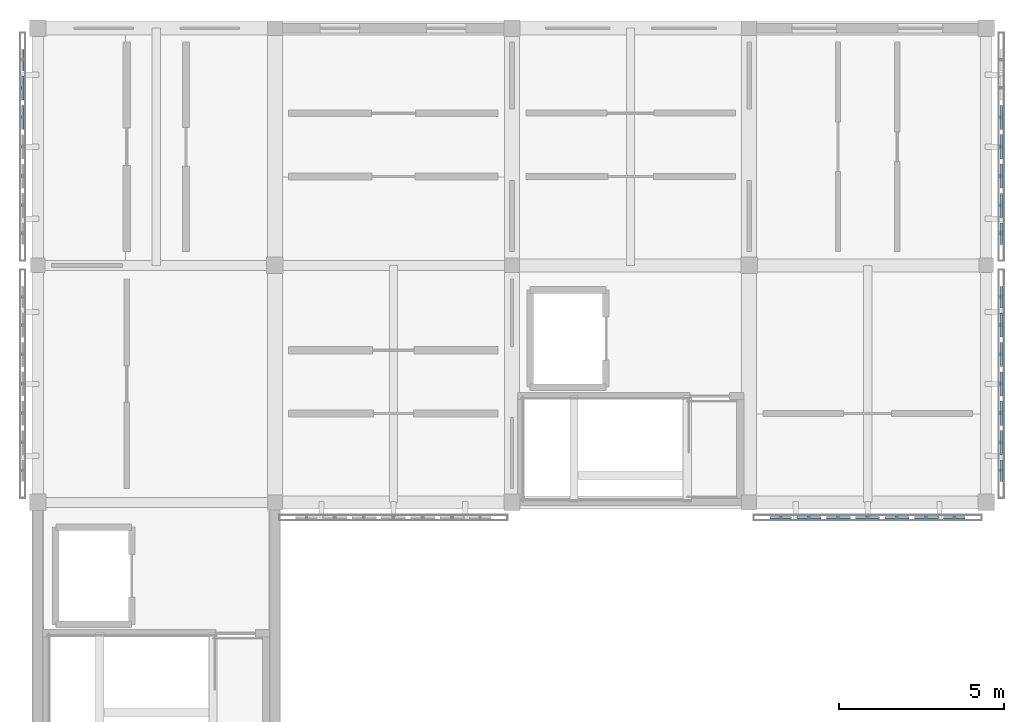
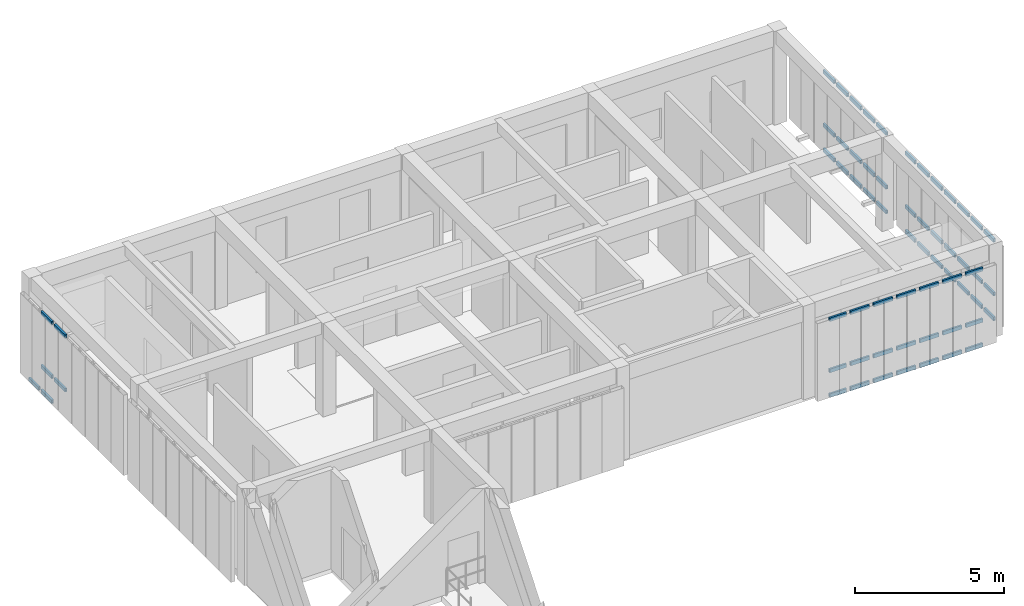
# One storey, part 6 of 14: 63 members, 4 elements without a shape of their own.
"""IFC4 building model written with IfcOpenShell, lengths in metres."""

from ifc_helpers import new_model, si_unit, direction, frame, origin, origin_2d, place, context, subcontext, project, spatial, hollow_rectangle, extrude, material, material_profile, profile_set, type_object, element, aggregate, save


model = new_model("IFC4")

# Units and contexts
model_context = context("Model", 3, precision=1e-05, world=origin(), true_north=direction((0.0, 1.0)))
body_context = subcontext(model_context, "Body", "Model", "MODEL_VIEW")
ifc_project = project(units=[si_unit("LENGTHUNIT", "METRE"), si_unit("AREAUNIT", "SQUARE_METRE"), si_unit("VOLUMEUNIT", "CUBIC_METRE"), si_unit("PLANEANGLEUNIT", "RADIAN"), si_unit("MASSUNIT", "GRAM", prefix="KILO")], contexts=[model_context])

# Site, building, storey
site_placement = place(None, origin())
site = spatial("IfcSite", under=ifc_project, at=site_placement, CompositionType="ELEMENT")
building_placement = place(site_placement, origin())
building = spatial("IfcBuilding", under=site, at=building_placement, Name="Aldebral Square Health Centre", CompositionType="ELEMENT")
storey_placement = place(building_placement, frame((0.0, 0.0, 21.60009765625)))
storey = spatial("IfcBuildingStorey", under=building, at=storey_placement, Name="L05", CompositionType="ELEMENT", Elevation=21.60009765625)

# Curtain wall, members
ifc_material_1 = material(Name="Aluminium and low-E solar glass", Category="aluminium")
curtain_wall_type = type_object("IfcCurtainWallType", Name="CW-FIN-SYS", PredefinedType="USERDEFINED", material=ifc_material_1)
curtain_wall_1_placement = place(storey_placement, origin())
curtain_wall_1 = element("IfcCurtainWall", 1, at=curtain_wall_1_placement, inside=storey, type_object=curtain_wall_type, Name="L05 V4 finned curtain wall L05-V4-00-15-W", ObjectType="SOLAR_CURTAIN_WALL", PredefinedType="USERDEFINED")
ifc_material_2 = material(Name="Anodised aluminium transom", Category="aluminium")
ifc_material_profile = material_profile(ifc_material_2, hollow_rectangle(XDim=0.074951171875, YDim=0.14990234375, WallThickness=0.00390625, at=origin_2d()), Name="CWT 75x150x4")
ifc_profile_set = profile_set([ifc_material_profile], Name="Anodised aluminium transom")
member_type = type_object("IfcMemberType", Name="CWT-STD", PredefinedType="USERDEFINED", material=ifc_profile_set)
member_1_placement = place(storey_placement, frame((-0.4599609375, 114.56005859375, 0.037353515625), z_axis=(0.0, -1.0, 0.0), x_axis=(1.0, 0.0, 0.0)))
member_1 = element("IfcMember", 2, at=member_1_placement, type_object=member_type, Name="CW1 transom 1.1", ObjectType="TRANSOM", PredefinedType="USERDEFINED", context=body_context, shape_type="SweptSolid", body=[
    extrude(hollow_rectangle(XDim=0.074951171875, YDim=0.14990234375, WallThickness=0.00390625, at=origin_2d()), origin(), (0.0, 0.0, 1.0), 0.6513671875),
])
member_2_placement = place(storey_placement, frame((-0.4599609375, 113.74853515625, 0.037353515625), z_axis=(0.0, -1.0, 0.0), x_axis=(1.0, 0.0, 0.0)))
member_2 = element("IfcMember", 3, at=member_2_placement, type_object=member_type, Name="CW1 transom 2.1", ObjectType="TRANSOM", PredefinedType="USERDEFINED", context=body_context, shape_type="SweptSolid", body=[
    extrude(hollow_rectangle(XDim=0.074951171875, YDim=0.14990234375, WallThickness=0.00390625, at=origin_2d()), origin(), (0.0, 0.0, 1.0), 0.7314453125),
])
member_3_placement = place(storey_placement, frame((-0.4599609375, 113.74853515625, 1.0498046875), z_axis=(0.0, -1.0, 0.0), x_axis=(1.0, 0.0, 0.0)))
member_3 = element("IfcMember", 4, at=member_3_placement, type_object=member_type, Name="CW1 transom 2.2", ObjectType="TRANSOM", PredefinedType="USERDEFINED", context=body_context, shape_type="SweptSolid", body=[
    extrude(hollow_rectangle(XDim=0.074951171875, YDim=0.14990234375, WallThickness=0.00390625, at=origin_2d()), origin(), (0.0, 0.0, 1.0), 0.7314453125),
])
member_4_placement = place(storey_placement, frame((-0.4599609375, 113.74853515625, 3.242431640625), z_axis=(0.0, -1.0, 0.0), x_axis=(1.0, 0.0, 0.0)))
member_4 = element("IfcMember", 5, at=member_4_placement, type_object=member_type, Name="CW1 transom 2.3", ObjectType="TRANSOM", PredefinedType="USERDEFINED", context=body_context, shape_type="SweptSolid", body=[
    extrude(hollow_rectangle(XDim=0.074951171875, YDim=0.14990234375, WallThickness=0.00390625, at=origin_2d()), origin(), (0.0, 0.0, 1.0), 0.7314453125),
])
member_5_placement = place(storey_placement, frame((-0.4599609375, 112.857177734375, 1.0498046875), z_axis=(0.0, -1.0, 0.0), x_axis=(1.0, 0.0, 0.0)))
member_5 = element("IfcMember", 6, at=member_5_placement, type_object=member_type, Name="CW1 transom 3.2", ObjectType="TRANSOM", PredefinedType="USERDEFINED", context=body_context, shape_type="SweptSolid", body=[
    extrude(hollow_rectangle(XDim=0.074951171875, YDim=0.14990234375, WallThickness=0.00390625, at=origin_2d()), origin(), (0.0, 0.0, 1.0), 0.7314453125),
])
member_6_placement = place(storey_placement, frame((-0.4599609375, 112.857177734375, 3.242431640625), z_axis=(0.0, -1.0, 0.0), x_axis=(1.0, 0.0, 0.0)))
member_6 = element("IfcMember", 7, at=member_6_placement, type_object=member_type, Name="CW1 transom 3.3", ObjectType="TRANSOM", PredefinedType="USERDEFINED", context=body_context, shape_type="SweptSolid", body=[
    extrude(hollow_rectangle(XDim=0.074951171875, YDim=0.14990234375, WallThickness=0.00390625, at=origin_2d()), origin(), (0.0, 0.0, 1.0), 0.7314453125),
])
aggregate(curtain_wall_1, [member_1, member_2, member_3, member_4, member_5, member_6])

curtain_wall_2_placement = place(storey_placement, origin())
curtain_wall_2 = element("IfcCurtainWall", 8, at=curtain_wall_2_placement, inside=storey, type_object=curtain_wall_type, Name="L05 V4 finned curtain wall L05-V4-03-14-S", ObjectType="SOLAR_CURTAIN_WALL", PredefinedType="USERDEFINED")
member_7_placement = place(storey_placement, frame((22.239990234375, 100.340087890625, 0.037353515625), z_axis=(1.0, 0.0, 0.0), x_axis=(0.0, 1.0, 0.0)))
member_7 = element("IfcMember", 9, at=member_7_placement, type_object=member_type, Name="CW1 transom 1.1", ObjectType="TRANSOM", PredefinedType="USERDEFINED", context=body_context, shape_type="SweptSolid", body=[
    extrude(hollow_rectangle(XDim=0.074951171875, YDim=0.14990234375, WallThickness=0.00390625, at=origin_2d()), origin(), (0.0, 0.0, 1.0), 0.6513671875),
])
member_8_placement = place(storey_placement, frame((22.239990234375, 100.340087890625, 1.0498046875), z_axis=(1.0, 0.0, 0.0), x_axis=(0.0, 1.0, 0.0)))
member_8 = element("IfcMember", 10, at=member_8_placement, type_object=member_type, Name="CW1 transom 1.2", ObjectType="TRANSOM", PredefinedType="USERDEFINED", context=body_context, shape_type="SweptSolid", body=[
    extrude(hollow_rectangle(XDim=0.074951171875, YDim=0.14990234375, WallThickness=0.00390625, at=origin_2d()), origin(), (0.0, 0.0, 1.0), 0.6513671875),
])
member_9_placement = place(storey_placement, frame((22.239990234375, 100.340087890625, 3.142333984375), z_axis=(1.0, 0.0, 0.0), x_axis=(0.0, 1.0, 0.0)))
member_9 = element("IfcMember", 11, at=member_9_placement, type_object=member_type, Name="CW1 transom 1.3", ObjectType="TRANSOM", PredefinedType="USERDEFINED", context=body_context, shape_type="SweptSolid", body=[
    extrude(hollow_rectangle(XDim=0.074951171875, YDim=0.14990234375, WallThickness=0.00390625, at=origin_2d()), origin(), (0.0, 0.0, 1.0), 0.6513671875),
])
member_10_placement = place(storey_placement, frame((23.051513671875, 100.340087890625, 0.037353515625), z_axis=(1.0, 0.0, 0.0), x_axis=(0.0, 1.0, 0.0)))
member_10 = element("IfcMember", 12, at=member_10_placement, type_object=member_type, Name="CW1 transom 2.1", ObjectType="TRANSOM", PredefinedType="USERDEFINED", context=body_context, shape_type="SweptSolid", body=[
    extrude(hollow_rectangle(XDim=0.074951171875, YDim=0.14990234375, WallThickness=0.00390625, at=origin_2d()), origin(), (0.0, 0.0, 1.0), 0.7314453125),
])
member_11_placement = place(storey_placement, frame((23.051513671875, 100.340087890625, 1.0498046875), z_axis=(1.0, 0.0, 0.0), x_axis=(0.0, 1.0, 0.0)))
member_11 = element("IfcMember", 13, at=member_11_placement, type_object=member_type, Name="CW1 transom 2.2", ObjectType="TRANSOM", PredefinedType="USERDEFINED", context=body_context, shape_type="SweptSolid", body=[
    extrude(hollow_rectangle(XDim=0.074951171875, YDim=0.14990234375, WallThickness=0.00390625, at=origin_2d()), origin(), (0.0, 0.0, 1.0), 0.7314453125),
])
member_12_placement = place(storey_placement, frame((23.051513671875, 100.340087890625, 3.142333984375), z_axis=(1.0, 0.0, 0.0), x_axis=(0.0, 1.0, 0.0)))
member_12 = element("IfcMember", 14, at=member_12_placement, type_object=member_type, Name="CW1 transom 2.3", ObjectType="TRANSOM", PredefinedType="USERDEFINED", context=body_context, shape_type="SweptSolid", body=[
    extrude(hollow_rectangle(XDim=0.074951171875, YDim=0.14990234375, WallThickness=0.00390625, at=origin_2d()), origin(), (0.0, 0.0, 1.0), 0.7314453125),
])
member_13_placement = place(storey_placement, frame((23.94287109375, 100.340087890625, 0.037353515625), z_axis=(1.0, 0.0, 0.0), x_axis=(0.0, 1.0, 0.0)))
member_13 = element("IfcMember", 15, at=member_13_placement, type_object=member_type, Name="CW1 transom 3.1", ObjectType="TRANSOM", PredefinedType="USERDEFINED", context=body_context, shape_type="SweptSolid", body=[
    extrude(hollow_rectangle(XDim=0.074951171875, YDim=0.14990234375, WallThickness=0.00390625, at=origin_2d()), origin(), (0.0, 0.0, 1.0), 0.7314453125),
])
member_14_placement = place(storey_placement, frame((23.94287109375, 100.340087890625, 1.0498046875), z_axis=(1.0, 0.0, 0.0), x_axis=(0.0, 1.0, 0.0)))
member_14 = element("IfcMember", 16, at=member_14_placement, type_object=member_type, Name="CW1 transom 3.2", ObjectType="TRANSOM", PredefinedType="USERDEFINED", context=body_context, shape_type="SweptSolid", body=[
    extrude(hollow_rectangle(XDim=0.074951171875, YDim=0.14990234375, WallThickness=0.00390625, at=origin_2d()), origin(), (0.0, 0.0, 1.0), 0.7314453125),
])
member_15_placement = place(storey_placement, frame((23.94287109375, 100.340087890625, 3.142333984375), z_axis=(1.0, 0.0, 0.0), x_axis=(0.0, 1.0, 0.0)))
member_15 = element("IfcMember", 17, at=member_15_placement, type_object=member_type, Name="CW1 transom 3.3", ObjectType="TRANSOM", PredefinedType="USERDEFINED", context=body_context, shape_type="SweptSolid", body=[
    extrude(hollow_rectangle(XDim=0.074951171875, YDim=0.14990234375, WallThickness=0.00390625, at=origin_2d()), origin(), (0.0, 0.0, 1.0), 0.7314453125),
])
member_16_placement = place(storey_placement, frame((24.834228515625, 100.340087890625, 0.037353515625), z_axis=(1.0, 0.0, 0.0), x_axis=(0.0, 1.0, 0.0)))
member_16 = element("IfcMember", 18, at=member_16_placement, type_object=member_type, Name="CW1 transom 4.1", ObjectType="TRANSOM", PredefinedType="USERDEFINED", context=body_context, shape_type="SweptSolid", body=[
    extrude(hollow_rectangle(XDim=0.074951171875, YDim=0.14990234375, WallThickness=0.00390625, at=origin_2d()), origin(), (0.0, 0.0, 1.0), 0.7314453125),
])
member_17_placement = place(storey_placement, frame((24.834228515625, 100.340087890625, 1.0498046875), z_axis=(1.0, 0.0, 0.0), x_axis=(0.0, 1.0, 0.0)))
member_17 = element("IfcMember", 19, at=member_17_placement, type_object=member_type, Name="CW1 transom 4.2", ObjectType="TRANSOM", PredefinedType="USERDEFINED", context=body_context, shape_type="SweptSolid", body=[
    extrude(hollow_rectangle(XDim=0.074951171875, YDim=0.14990234375, WallThickness=0.00390625, at=origin_2d()), origin(), (0.0, 0.0, 1.0), 0.7314453125),
])
member_18_placement = place(storey_placement, frame((24.834228515625, 100.340087890625, 3.142333984375), z_axis=(1.0, 0.0, 0.0), x_axis=(0.0, 1.0, 0.0)))
member_18 = element("IfcMember", 20, at=member_18_placement, type_object=member_type, Name="CW1 transom 4.3", ObjectType="TRANSOM", PredefinedType="USERDEFINED", context=body_context, shape_type="SweptSolid", body=[
    extrude(hollow_rectangle(XDim=0.074951171875, YDim=0.14990234375, WallThickness=0.00390625, at=origin_2d()), origin(), (0.0, 0.0, 1.0), 0.7314453125),
])
member_19_placement = place(storey_placement, frame((25.725830078125, 100.340087890625, 0.037353515625), z_axis=(1.0, 0.0, 0.0), x_axis=(0.0, 1.0, 0.0)))
member_19 = element("IfcMember", 21, at=member_19_placement, type_object=member_type, Name="CW1 transom 5.1", ObjectType="TRANSOM", PredefinedType="USERDEFINED", context=body_context, shape_type="SweptSolid", body=[
    extrude(hollow_rectangle(XDim=0.074951171875, YDim=0.14990234375, WallThickness=0.00390625, at=origin_2d()), origin(), (0.0, 0.0, 1.0), 0.731201171875),
])
member_20_placement = place(storey_placement, frame((25.725830078125, 100.340087890625, 1.0498046875), z_axis=(1.0, 0.0, 0.0), x_axis=(0.0, 1.0, 0.0)))
member_20 = element("IfcMember", 22, at=member_20_placement, type_object=member_type, Name="CW1 transom 5.2", ObjectType="TRANSOM", PredefinedType="USERDEFINED", context=body_context, shape_type="SweptSolid", body=[
    extrude(hollow_rectangle(XDim=0.074951171875, YDim=0.14990234375, WallThickness=0.00390625, at=origin_2d()), origin(), (0.0, 0.0, 1.0), 0.731201171875),
])
member_21_placement = place(storey_placement, frame((25.725830078125, 100.340087890625, 3.142333984375), z_axis=(1.0, 0.0, 0.0), x_axis=(0.0, 1.0, 0.0)))
member_21 = element("IfcMember", 23, at=member_21_placement, type_object=member_type, Name="CW1 transom 5.3", ObjectType="TRANSOM", PredefinedType="USERDEFINED", context=body_context, shape_type="SweptSolid", body=[
    extrude(hollow_rectangle(XDim=0.074951171875, YDim=0.14990234375, WallThickness=0.00390625, at=origin_2d()), origin(), (0.0, 0.0, 1.0), 0.731201171875),
])
member_22_placement = place(storey_placement, frame((26.6171875, 100.340087890625, 0.037353515625), z_axis=(1.0, 0.0, 0.0), x_axis=(0.0, 1.0, 0.0)))
member_22 = element("IfcMember", 24, at=member_22_placement, type_object=member_type, Name="CW1 transom 6.1", ObjectType="TRANSOM", PredefinedType="USERDEFINED", context=body_context, shape_type="SweptSolid", body=[
    extrude(hollow_rectangle(XDim=0.074951171875, YDim=0.14990234375, WallThickness=0.00390625, at=origin_2d()), origin(), (0.0, 0.0, 1.0), 0.7314453125),
])
member_23_placement = place(storey_placement, frame((26.6171875, 100.340087890625, 1.0498046875), z_axis=(1.0, 0.0, 0.0), x_axis=(0.0, 1.0, 0.0)))
member_23 = element("IfcMember", 25, at=member_23_placement, type_object=member_type, Name="CW1 transom 6.2", ObjectType="TRANSOM", PredefinedType="USERDEFINED", context=body_context, shape_type="SweptSolid", body=[
    extrude(hollow_rectangle(XDim=0.074951171875, YDim=0.14990234375, WallThickness=0.00390625, at=origin_2d()), origin(), (0.0, 0.0, 1.0), 0.7314453125),
])
member_24_placement = place(storey_placement, frame((26.6171875, 100.340087890625, 3.142333984375), z_axis=(1.0, 0.0, 0.0), x_axis=(0.0, 1.0, 0.0)))
member_24 = element("IfcMember", 26, at=member_24_placement, type_object=member_type, Name="CW1 transom 6.3", ObjectType="TRANSOM", PredefinedType="USERDEFINED", context=body_context, shape_type="SweptSolid", body=[
    extrude(hollow_rectangle(XDim=0.074951171875, YDim=0.14990234375, WallThickness=0.00390625, at=origin_2d()), origin(), (0.0, 0.0, 1.0), 0.7314453125),
])
member_25_placement = place(storey_placement, frame((27.508544921875, 100.340087890625, 0.037353515625), z_axis=(1.0, 0.0, 0.0), x_axis=(0.0, 1.0, 0.0)))
member_25 = element("IfcMember", 27, at=member_25_placement, type_object=member_type, Name="CW1 transom 7.1", ObjectType="TRANSOM", PredefinedType="USERDEFINED", context=body_context, shape_type="SweptSolid", body=[
    extrude(hollow_rectangle(XDim=0.074951171875, YDim=0.14990234375, WallThickness=0.00390625, at=origin_2d()), origin(), (0.0, 0.0, 1.0), 0.6513671875),
])
member_26_placement = place(storey_placement, frame((27.508544921875, 100.340087890625, 1.0498046875), z_axis=(1.0, 0.0, 0.0), x_axis=(0.0, 1.0, 0.0)))
member_26 = element("IfcMember", 28, at=member_26_placement, type_object=member_type, Name="CW1 transom 7.2", ObjectType="TRANSOM", PredefinedType="USERDEFINED", context=body_context, shape_type="SweptSolid", body=[
    extrude(hollow_rectangle(XDim=0.074951171875, YDim=0.14990234375, WallThickness=0.00390625, at=origin_2d()), origin(), (0.0, 0.0, 1.0), 0.6513671875),
])
member_27_placement = place(storey_placement, frame((27.508544921875, 100.340087890625, 3.142333984375), z_axis=(1.0, 0.0, 0.0), x_axis=(0.0, 1.0, 0.0)))
member_27 = element("IfcMember", 29, at=member_27_placement, type_object=member_type, Name="CW1 transom 7.3", ObjectType="TRANSOM", PredefinedType="USERDEFINED", context=body_context, shape_type="SweptSolid", body=[
    extrude(hollow_rectangle(XDim=0.074951171875, YDim=0.14990234375, WallThickness=0.00390625, at=origin_2d()), origin(), (0.0, 0.0, 1.0), 0.6513671875),
])
aggregate(curtain_wall_2, [member_7, member_8, member_9, member_10, member_11, member_12, member_13, member_14, member_15, member_16, member_17, member_18, member_19, member_20, member_21, member_22, member_23, member_24, member_25, member_26, member_27])

curtain_wall_3_placement = place(storey_placement, origin())
curtain_wall_3 = element("IfcCurtainWall", 30, at=curtain_wall_3_placement, inside=storey, type_object=curtain_wall_type, Name="L05 V4 finned curtain wall L05-V4-03-14-E", ObjectType="SOLAR_CURTAIN_WALL", PredefinedType="USERDEFINED")
member_28_placement = place(storey_placement, frame((29.260009765625, 101.43994140625, 0.037353515625), z_axis=(0.0, 1.0, 0.0), x_axis=(-1.0, 0.0, 0.0)))
member_28 = element("IfcMember", 31, at=member_28_placement, type_object=member_type, Name="CW1 transom 1.1", ObjectType="TRANSOM", PredefinedType="USERDEFINED", context=body_context, shape_type="SweptSolid", body=[
    extrude(hollow_rectangle(XDim=0.074951171875, YDim=0.14990234375, WallThickness=0.00390625, at=origin_2d()), origin(), (0.0, 0.0, 1.0), 0.6513671875),
])
member_29_placement = place(storey_placement, frame((29.260009765625, 101.43994140625, 1.0498046875), z_axis=(0.0, 1.0, 0.0), x_axis=(-1.0, 0.0, 0.0)))
member_29 = element("IfcMember", 32, at=member_29_placement, type_object=member_type, Name="CW1 transom 1.2", ObjectType="TRANSOM", PredefinedType="USERDEFINED", context=body_context, shape_type="SweptSolid", body=[
    extrude(hollow_rectangle(XDim=0.074951171875, YDim=0.14990234375, WallThickness=0.00390625, at=origin_2d()), origin(), (0.0, 0.0, 1.0), 0.6513671875),
])
member_30_placement = place(storey_placement, frame((29.260009765625, 101.43994140625, 3.242431640625), z_axis=(0.0, 1.0, 0.0), x_axis=(-1.0, 0.0, 0.0)))
member_30 = element("IfcMember", 33, at=member_30_placement, type_object=member_type, Name="CW1 transom 1.3", ObjectType="TRANSOM", PredefinedType="USERDEFINED", context=body_context, shape_type="SweptSolid", body=[
    extrude(hollow_rectangle(XDim=0.074951171875, YDim=0.14990234375, WallThickness=0.00390625, at=origin_2d()), origin(), (0.0, 0.0, 1.0), 0.6513671875),
])
member_31_placement = place(storey_placement, frame((29.260009765625, 102.25146484375, 0.037353515625), z_axis=(0.0, 1.0, 0.0), x_axis=(-1.0, 0.0, 0.0)))
member_31 = element("IfcMember", 34, at=member_31_placement, type_object=member_type, Name="CW1 transom 2.1", ObjectType="TRANSOM", PredefinedType="USERDEFINED", context=body_context, shape_type="SweptSolid", body=[
    extrude(hollow_rectangle(XDim=0.074951171875, YDim=0.14990234375, WallThickness=0.00390625, at=origin_2d()), origin(), (0.0, 0.0, 1.0), 0.7314453125),
])
member_32_placement = place(storey_placement, frame((29.260009765625, 102.25146484375, 1.0498046875), z_axis=(0.0, 1.0, 0.0), x_axis=(-1.0, 0.0, 0.0)))
member_32 = element("IfcMember", 35, at=member_32_placement, type_object=member_type, Name="CW1 transom 2.2", ObjectType="TRANSOM", PredefinedType="USERDEFINED", context=body_context, shape_type="SweptSolid", body=[
    extrude(hollow_rectangle(XDim=0.074951171875, YDim=0.14990234375, WallThickness=0.00390625, at=origin_2d()), origin(), (0.0, 0.0, 1.0), 0.7314453125),
])
member_33_placement = place(storey_placement, frame((29.260009765625, 102.25146484375, 3.242431640625), z_axis=(0.0, 1.0, 0.0), x_axis=(-1.0, 0.0, 0.0)))
member_33 = element("IfcMember", 36, at=member_33_placement, type_object=member_type, Name="CW1 transom 2.3", ObjectType="TRANSOM", PredefinedType="USERDEFINED", context=body_context, shape_type="SweptSolid", body=[
    extrude(hollow_rectangle(XDim=0.074951171875, YDim=0.14990234375, WallThickness=0.00390625, at=origin_2d()), origin(), (0.0, 0.0, 1.0), 0.7314453125),
])
member_34_placement = place(storey_placement, frame((29.260009765625, 103.142822265625, 0.037353515625), z_axis=(0.0, 1.0, 0.0), x_axis=(-1.0, 0.0, 0.0)))
member_34 = element("IfcMember", 37, at=member_34_placement, type_object=member_type, Name="CW1 transom 3.1", ObjectType="TRANSOM", PredefinedType="USERDEFINED", context=body_context, shape_type="SweptSolid", body=[
    extrude(hollow_rectangle(XDim=0.074951171875, YDim=0.14990234375, WallThickness=0.00390625, at=origin_2d()), origin(), (0.0, 0.0, 1.0), 0.7314453125),
])
member_35_placement = place(storey_placement, frame((29.260009765625, 103.142822265625, 1.0498046875), z_axis=(0.0, 1.0, 0.0), x_axis=(-1.0, 0.0, 0.0)))
member_35 = element("IfcMember", 38, at=member_35_placement, type_object=member_type, Name="CW1 transom 3.2", ObjectType="TRANSOM", PredefinedType="USERDEFINED", context=body_context, shape_type="SweptSolid", body=[
    extrude(hollow_rectangle(XDim=0.074951171875, YDim=0.14990234375, WallThickness=0.00390625, at=origin_2d()), origin(), (0.0, 0.0, 1.0), 0.7314453125),
])
member_36_placement = place(storey_placement, frame((29.260009765625, 103.142822265625, 3.242431640625), z_axis=(0.0, 1.0, 0.0), x_axis=(-1.0, 0.0, 0.0)))
member_36 = element("IfcMember", 39, at=member_36_placement, type_object=member_type, Name="CW1 transom 3.3", ObjectType="TRANSOM", PredefinedType="USERDEFINED", context=body_context, shape_type="SweptSolid", body=[
    extrude(hollow_rectangle(XDim=0.074951171875, YDim=0.14990234375, WallThickness=0.00390625, at=origin_2d()), origin(), (0.0, 0.0, 1.0), 0.7314453125),
])
member_37_placement = place(storey_placement, frame((29.260009765625, 104.0341796875, 0.037353515625), z_axis=(0.0, 1.0, 0.0), x_axis=(-1.0, 0.0, 0.0)))
member_37 = element("IfcMember", 40, at=member_37_placement, type_object=member_type, Name="CW1 transom 4.1", ObjectType="TRANSOM", PredefinedType="USERDEFINED", context=body_context, shape_type="SweptSolid", body=[
    extrude(hollow_rectangle(XDim=0.074951171875, YDim=0.14990234375, WallThickness=0.00390625, at=origin_2d()), origin(), (0.0, 0.0, 1.0), 0.7314453125),
])
member_38_placement = place(storey_placement, frame((29.260009765625, 104.0341796875, 1.0498046875), z_axis=(0.0, 1.0, 0.0), x_axis=(-1.0, 0.0, 0.0)))
member_38 = element("IfcMember", 41, at=member_38_placement, type_object=member_type, Name="CW1 transom 4.2", ObjectType="TRANSOM", PredefinedType="USERDEFINED", context=body_context, shape_type="SweptSolid", body=[
    extrude(hollow_rectangle(XDim=0.074951171875, YDim=0.14990234375, WallThickness=0.00390625, at=origin_2d()), origin(), (0.0, 0.0, 1.0), 0.7314453125),
])
member_39_placement = place(storey_placement, frame((29.260009765625, 104.0341796875, 3.242431640625), z_axis=(0.0, 1.0, 0.0), x_axis=(-1.0, 0.0, 0.0)))
member_39 = element("IfcMember", 42, at=member_39_placement, type_object=member_type, Name="CW1 transom 4.3", ObjectType="TRANSOM", PredefinedType="USERDEFINED", context=body_context, shape_type="SweptSolid", body=[
    extrude(hollow_rectangle(XDim=0.074951171875, YDim=0.14990234375, WallThickness=0.00390625, at=origin_2d()), origin(), (0.0, 0.0, 1.0), 0.7314453125),
])
member_40_placement = place(storey_placement, frame((29.260009765625, 104.92578125, 0.037353515625), z_axis=(0.0, 1.0, 0.0), x_axis=(-1.0, 0.0, 0.0)))
member_40 = element("IfcMember", 43, at=member_40_placement, type_object=member_type, Name="CW1 transom 5.1", ObjectType="TRANSOM", PredefinedType="USERDEFINED", context=body_context, shape_type="SweptSolid", body=[
    extrude(hollow_rectangle(XDim=0.074951171875, YDim=0.14990234375, WallThickness=0.00390625, at=origin_2d()), origin(), (0.0, 0.0, 1.0), 0.7314453125),
])
member_41_placement = place(storey_placement, frame((29.260009765625, 104.92578125, 1.0498046875), z_axis=(0.0, 1.0, 0.0), x_axis=(-1.0, 0.0, 0.0)))
member_41 = element("IfcMember", 44, at=member_41_placement, type_object=member_type, Name="CW1 transom 5.2", ObjectType="TRANSOM", PredefinedType="USERDEFINED", context=body_context, shape_type="SweptSolid", body=[
    extrude(hollow_rectangle(XDim=0.074951171875, YDim=0.14990234375, WallThickness=0.00390625, at=origin_2d()), origin(), (0.0, 0.0, 1.0), 0.7314453125),
])
member_42_placement = place(storey_placement, frame((29.260009765625, 104.92578125, 3.242431640625), z_axis=(0.0, 1.0, 0.0), x_axis=(-1.0, 0.0, 0.0)))
member_42 = element("IfcMember", 45, at=member_42_placement, type_object=member_type, Name="CW1 transom 5.3", ObjectType="TRANSOM", PredefinedType="USERDEFINED", context=body_context, shape_type="SweptSolid", body=[
    extrude(hollow_rectangle(XDim=0.074951171875, YDim=0.14990234375, WallThickness=0.00390625, at=origin_2d()), origin(), (0.0, 0.0, 1.0), 0.7314453125),
])
member_43_placement = place(storey_placement, frame((29.260009765625, 105.817138671875, 0.037353515625), z_axis=(0.0, 1.0, 0.0), x_axis=(-1.0, 0.0, 0.0)))
member_43 = element("IfcMember", 46, at=member_43_placement, type_object=member_type, Name="CW1 transom 6.1", ObjectType="TRANSOM", PredefinedType="USERDEFINED", context=body_context, shape_type="SweptSolid", body=[
    extrude(hollow_rectangle(XDim=0.074951171875, YDim=0.14990234375, WallThickness=0.00390625, at=origin_2d()), origin(), (0.0, 0.0, 1.0), 0.7314453125),
])
member_44_placement = place(storey_placement, frame((29.260009765625, 105.817138671875, 1.0498046875), z_axis=(0.0, 1.0, 0.0), x_axis=(-1.0, 0.0, 0.0)))
member_44 = element("IfcMember", 47, at=member_44_placement, type_object=member_type, Name="CW1 transom 6.2", ObjectType="TRANSOM", PredefinedType="USERDEFINED", context=body_context, shape_type="SweptSolid", body=[
    extrude(hollow_rectangle(XDim=0.074951171875, YDim=0.14990234375, WallThickness=0.00390625, at=origin_2d()), origin(), (0.0, 0.0, 1.0), 0.7314453125),
])
member_45_placement = place(storey_placement, frame((29.260009765625, 105.817138671875, 3.242431640625), z_axis=(0.0, 1.0, 0.0), x_axis=(-1.0, 0.0, 0.0)))
member_45 = element("IfcMember", 48, at=member_45_placement, type_object=member_type, Name="CW1 transom 6.3", ObjectType="TRANSOM", PredefinedType="USERDEFINED", context=body_context, shape_type="SweptSolid", body=[
    extrude(hollow_rectangle(XDim=0.074951171875, YDim=0.14990234375, WallThickness=0.00390625, at=origin_2d()), origin(), (0.0, 0.0, 1.0), 0.7314453125),
])
member_46_placement = place(storey_placement, frame((29.260009765625, 106.70849609375, 0.037353515625), z_axis=(0.0, 1.0, 0.0), x_axis=(-1.0, 0.0, 0.0)))
member_46 = element("IfcMember", 49, at=member_46_placement, type_object=member_type, Name="CW1 transom 7.1", ObjectType="TRANSOM", PredefinedType="USERDEFINED", context=body_context, shape_type="SweptSolid", body=[
    extrude(hollow_rectangle(XDim=0.074951171875, YDim=0.14990234375, WallThickness=0.00390625, at=origin_2d()), origin(), (0.0, 0.0, 1.0), 0.651611328125),
])
member_47_placement = place(storey_placement, frame((29.260009765625, 106.70849609375, 1.0498046875), z_axis=(0.0, 1.0, 0.0), x_axis=(-1.0, 0.0, 0.0)))
member_47 = element("IfcMember", 50, at=member_47_placement, type_object=member_type, Name="CW1 transom 7.2", ObjectType="TRANSOM", PredefinedType="USERDEFINED", context=body_context, shape_type="SweptSolid", body=[
    extrude(hollow_rectangle(XDim=0.074951171875, YDim=0.14990234375, WallThickness=0.00390625, at=origin_2d()), origin(), (0.0, 0.0, 1.0), 0.651611328125),
])
member_48_placement = place(storey_placement, frame((29.260009765625, 106.70849609375, 3.242431640625), z_axis=(0.0, 1.0, 0.0), x_axis=(-1.0, 0.0, 0.0)))
member_48 = element("IfcMember", 51, at=member_48_placement, type_object=member_type, Name="CW1 transom 7.3", ObjectType="TRANSOM", PredefinedType="USERDEFINED", context=body_context, shape_type="SweptSolid", body=[
    extrude(hollow_rectangle(XDim=0.074951171875, YDim=0.14990234375, WallThickness=0.00390625, at=origin_2d()), origin(), (0.0, 0.0, 1.0), 0.651611328125),
])
aggregate(curtain_wall_3, [member_28, member_29, member_30, member_31, member_32, member_33, member_34, member_35, member_36, member_37, member_38, member_39, member_40, member_41, member_42, member_43, member_44, member_45, member_46, member_47, member_48])

curtain_wall_4_placement = place(storey_placement, origin())
curtain_wall_4 = element("IfcCurtainWall", 52, at=curtain_wall_4_placement, inside=storey, type_object=curtain_wall_type, Name="L05 V4 finned curtain wall L05-V4-03-15-E", ObjectType="SOLAR_CURTAIN_WALL", PredefinedType="USERDEFINED")
member_49_placement = place(storey_placement, frame((29.260009765625, 108.639892578125, 0.037353515625), z_axis=(0.0, 1.0, 0.0), x_axis=(-1.0, 0.0, 0.0)))
member_49 = element("IfcMember", 53, at=member_49_placement, type_object=member_type, Name="CW1 transom 1.1", ObjectType="TRANSOM", PredefinedType="USERDEFINED", context=body_context, shape_type="SweptSolid", body=[
    extrude(hollow_rectangle(XDim=0.074951171875, YDim=0.14990234375, WallThickness=0.00390625, at=origin_2d()), origin(), (0.0, 0.0, 1.0), 0.651611328125),
])
member_50_placement = place(storey_placement, frame((29.260009765625, 108.639892578125, 1.0498046875), z_axis=(0.0, 1.0, 0.0), x_axis=(-1.0, 0.0, 0.0)))
member_50 = element("IfcMember", 54, at=member_50_placement, type_object=member_type, Name="CW1 transom 1.2", ObjectType="TRANSOM", PredefinedType="USERDEFINED", context=body_context, shape_type="SweptSolid", body=[
    extrude(hollow_rectangle(XDim=0.074951171875, YDim=0.14990234375, WallThickness=0.00390625, at=origin_2d()), origin(), (0.0, 0.0, 1.0), 0.651611328125),
])
member_51_placement = place(storey_placement, frame((29.260009765625, 108.639892578125, 3.242431640625), z_axis=(0.0, 1.0, 0.0), x_axis=(-1.0, 0.0, 0.0)))
member_51 = element("IfcMember", 55, at=member_51_placement, type_object=member_type, Name="CW1 transom 1.3", ObjectType="TRANSOM", PredefinedType="USERDEFINED", context=body_context, shape_type="SweptSolid", body=[
    extrude(hollow_rectangle(XDim=0.074951171875, YDim=0.14990234375, WallThickness=0.00390625, at=origin_2d()), origin(), (0.0, 0.0, 1.0), 0.651611328125),
])
member_52_placement = place(storey_placement, frame((29.260009765625, 109.451416015625, 0.037353515625), z_axis=(0.0, 1.0, 0.0), x_axis=(-1.0, 0.0, 0.0)))
member_52 = element("IfcMember", 56, at=member_52_placement, type_object=member_type, Name="CW1 transom 2.1", ObjectType="TRANSOM", PredefinedType="USERDEFINED", context=body_context, shape_type="SweptSolid", body=[
    extrude(hollow_rectangle(XDim=0.074951171875, YDim=0.14990234375, WallThickness=0.00390625, at=origin_2d()), origin(), (0.0, 0.0, 1.0), 0.7314453125),
])
member_53_placement = place(storey_placement, frame((29.260009765625, 109.451416015625, 1.0498046875), z_axis=(0.0, 1.0, 0.0), x_axis=(-1.0, 0.0, 0.0)))
member_53 = element("IfcMember", 57, at=member_53_placement, type_object=member_type, Name="CW1 transom 2.2", ObjectType="TRANSOM", PredefinedType="USERDEFINED", context=body_context, shape_type="SweptSolid", body=[
    extrude(hollow_rectangle(XDim=0.074951171875, YDim=0.14990234375, WallThickness=0.00390625, at=origin_2d()), origin(), (0.0, 0.0, 1.0), 0.7314453125),
])
member_54_placement = place(storey_placement, frame((29.260009765625, 109.451416015625, 3.242431640625), z_axis=(0.0, 1.0, 0.0), x_axis=(-1.0, 0.0, 0.0)))
member_54 = element("IfcMember", 58, at=member_54_placement, type_object=member_type, Name="CW1 transom 2.3", ObjectType="TRANSOM", PredefinedType="USERDEFINED", context=body_context, shape_type="SweptSolid", body=[
    extrude(hollow_rectangle(XDim=0.074951171875, YDim=0.14990234375, WallThickness=0.00390625, at=origin_2d()), origin(), (0.0, 0.0, 1.0), 0.7314453125),
])
member_55_placement = place(storey_placement, frame((29.260009765625, 110.3427734375, 0.037353515625), z_axis=(0.0, 1.0, 0.0), x_axis=(-1.0, 0.0, 0.0)))
member_55 = element("IfcMember", 59, at=member_55_placement, type_object=member_type, Name="CW1 transom 3.1", ObjectType="TRANSOM", PredefinedType="USERDEFINED", context=body_context, shape_type="SweptSolid", body=[
    extrude(hollow_rectangle(XDim=0.074951171875, YDim=0.14990234375, WallThickness=0.00390625, at=origin_2d()), origin(), (0.0, 0.0, 1.0), 0.7314453125),
])
member_56_placement = place(storey_placement, frame((29.260009765625, 110.3427734375, 1.0498046875), z_axis=(0.0, 1.0, 0.0), x_axis=(-1.0, 0.0, 0.0)))
member_56 = element("IfcMember", 60, at=member_56_placement, type_object=member_type, Name="CW1 transom 3.2", ObjectType="TRANSOM", PredefinedType="USERDEFINED", context=body_context, shape_type="SweptSolid", body=[
    extrude(hollow_rectangle(XDim=0.074951171875, YDim=0.14990234375, WallThickness=0.00390625, at=origin_2d()), origin(), (0.0, 0.0, 1.0), 0.7314453125),
])
member_57_placement = place(storey_placement, frame((29.260009765625, 110.3427734375, 3.242431640625), z_axis=(0.0, 1.0, 0.0), x_axis=(-1.0, 0.0, 0.0)))
member_57 = element("IfcMember", 61, at=member_57_placement, type_object=member_type, Name="CW1 transom 3.3", ObjectType="TRANSOM", PredefinedType="USERDEFINED", context=body_context, shape_type="SweptSolid", body=[
    extrude(hollow_rectangle(XDim=0.074951171875, YDim=0.14990234375, WallThickness=0.00390625, at=origin_2d()), origin(), (0.0, 0.0, 1.0), 0.7314453125),
])
member_58_placement = place(storey_placement, frame((29.260009765625, 111.234375, 0.037353515625), z_axis=(0.0, 1.0, 0.0), x_axis=(-1.0, 0.0, 0.0)))
member_58 = element("IfcMember", 62, at=member_58_placement, type_object=member_type, Name="CW1 transom 4.1", ObjectType="TRANSOM", PredefinedType="USERDEFINED", context=body_context, shape_type="SweptSolid", body=[
    extrude(hollow_rectangle(XDim=0.074951171875, YDim=0.14990234375, WallThickness=0.00390625, at=origin_2d()), origin(), (0.0, 0.0, 1.0), 0.7314453125),
])
member_59_placement = place(storey_placement, frame((29.260009765625, 111.234375, 1.0498046875), z_axis=(0.0, 1.0, 0.0), x_axis=(-1.0, 0.0, 0.0)))
member_59 = element("IfcMember", 63, at=member_59_placement, type_object=member_type, Name="CW1 transom 4.2", ObjectType="TRANSOM", PredefinedType="USERDEFINED", context=body_context, shape_type="SweptSolid", body=[
    extrude(hollow_rectangle(XDim=0.074951171875, YDim=0.14990234375, WallThickness=0.00390625, at=origin_2d()), origin(), (0.0, 0.0, 1.0), 0.7314453125),
])
member_60_placement = place(storey_placement, frame((29.260009765625, 111.234375, 3.242431640625), z_axis=(0.0, 1.0, 0.0), x_axis=(-1.0, 0.0, 0.0)))
member_60 = element("IfcMember", 64, at=member_60_placement, type_object=member_type, Name="CW1 transom 4.3", ObjectType="TRANSOM", PredefinedType="USERDEFINED", context=body_context, shape_type="SweptSolid", body=[
    extrude(hollow_rectangle(XDim=0.074951171875, YDim=0.14990234375, WallThickness=0.00390625, at=origin_2d()), origin(), (0.0, 0.0, 1.0), 0.7314453125),
])
member_61_placement = place(storey_placement, frame((29.260009765625, 112.125732421875, 0.037353515625), z_axis=(0.0, 1.0, 0.0), x_axis=(-1.0, 0.0, 0.0)))
member_61 = element("IfcMember", 65, at=member_61_placement, type_object=member_type, Name="CW1 transom 5.1", ObjectType="TRANSOM", PredefinedType="USERDEFINED", context=body_context, shape_type="SweptSolid", body=[
    extrude(hollow_rectangle(XDim=0.074951171875, YDim=0.14990234375, WallThickness=0.00390625, at=origin_2d()), origin(), (0.0, 0.0, 1.0), 0.7314453125),
])
member_62_placement = place(storey_placement, frame((29.260009765625, 112.125732421875, 1.0498046875), z_axis=(0.0, 1.0, 0.0), x_axis=(-1.0, 0.0, 0.0)))
member_62 = element("IfcMember", 66, at=member_62_placement, type_object=member_type, Name="CW1 transom 5.2", ObjectType="TRANSOM", PredefinedType="USERDEFINED", context=body_context, shape_type="SweptSolid", body=[
    extrude(hollow_rectangle(XDim=0.074951171875, YDim=0.14990234375, WallThickness=0.00390625, at=origin_2d()), origin(), (0.0, 0.0, 1.0), 0.7314453125),
])
member_63_placement = place(storey_placement, frame((29.260009765625, 112.125732421875, 3.242431640625), z_axis=(0.0, 1.0, 0.0), x_axis=(-1.0, 0.0, 0.0)))
member_63 = element("IfcMember", 67, at=member_63_placement, type_object=member_type, Name="CW1 transom 5.3", ObjectType="TRANSOM", PredefinedType="USERDEFINED", context=body_context, shape_type="SweptSolid", body=[
    extrude(hollow_rectangle(XDim=0.074951171875, YDim=0.14990234375, WallThickness=0.00390625, at=origin_2d()), origin(), (0.0, 0.0, 1.0), 0.7314453125),
])
aggregate(curtain_wall_4, [member_49, member_50, member_51, member_52, member_53, member_54, member_55, member_56, member_57, member_58, member_59, member_60, member_61, member_62, member_63])

save(model, "model.ifc")
